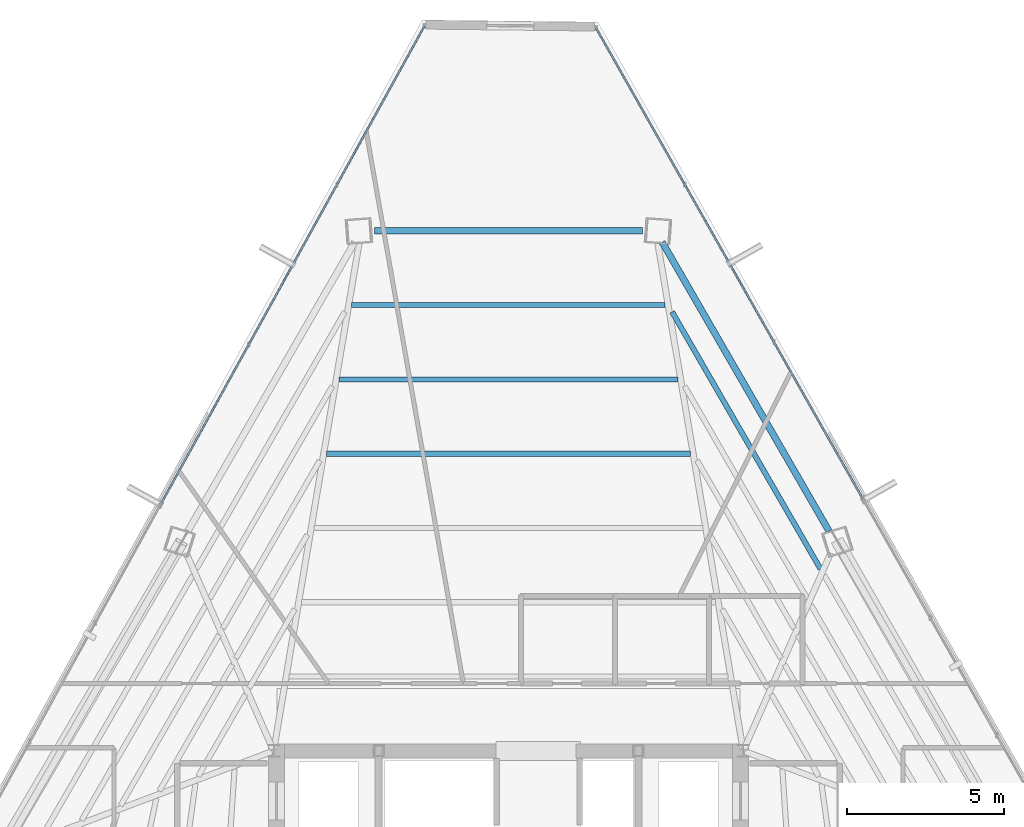
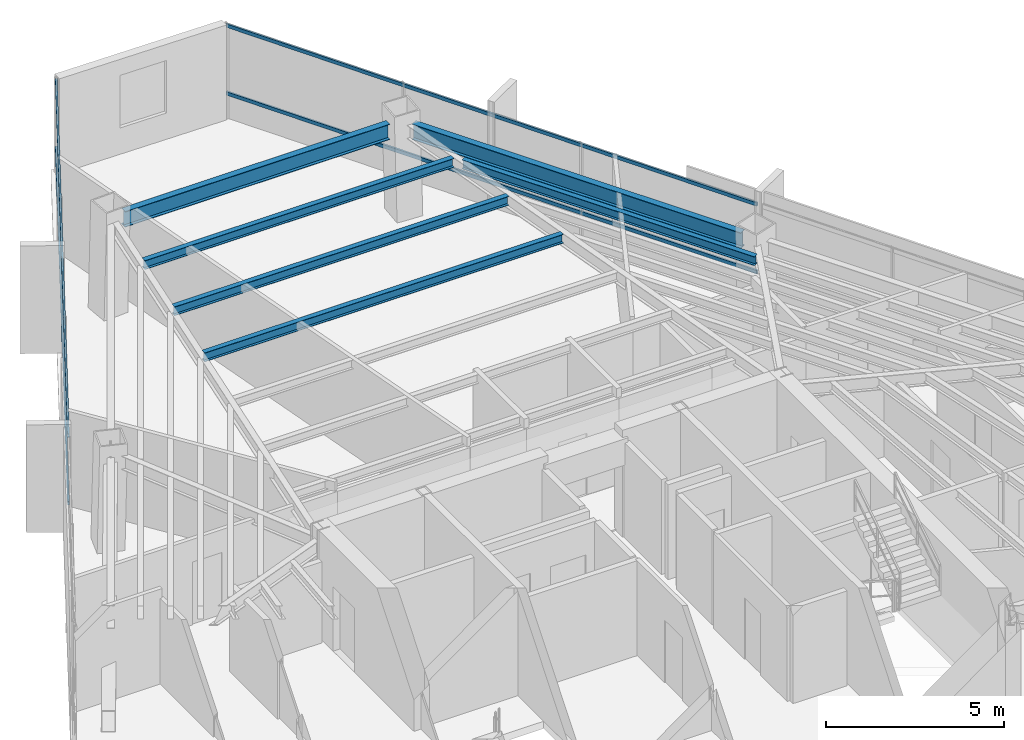
# One storey, part 30 of 40: 6 beams, 4 members, 2 elements without a shape of their own.
"""IFC4 building model written with IfcOpenShell, lengths in metres."""

from ifc_helpers import new_model, si_unit, direction, frame, origin, origin_2d, place, context, subcontext, project, spatial, hollow_rectangle, i_section, extrude, source, transform, mapped, material, material_profile, profile_set, type_object, type_shapes, element, aggregate, save


model = new_model("IFC4")

# Units and contexts
model_context = context("Model", 3, precision=1e-05, world=origin(), true_north=direction((0.0, 1.0)))
body_context = subcontext(model_context, "Body", "Model", "MODEL_VIEW")
ifc_project = project(units=[si_unit("LENGTHUNIT", "METRE"), si_unit("AREAUNIT", "SQUARE_METRE"), si_unit("VOLUMEUNIT", "CUBIC_METRE"), si_unit("PLANEANGLEUNIT", "RADIAN"), si_unit("MASSUNIT", "GRAM", prefix="KILO")], contexts=[model_context])

# Site, building, storey
site_placement = place(None, origin())
site = spatial("IfcSite", under=ifc_project, at=site_placement, CompositionType="ELEMENT")
building_placement = place(site_placement, origin())
building = spatial("IfcBuilding", under=site, at=building_placement, Name="Caelisora Broadcast Tower", CompositionType="ELEMENT")
storey_placement = place(building_placement, frame((0.0, 0.0, 216.89990234375)))
storey = spatial("IfcBuildingStorey", under=building, at=storey_placement, Name="L57", CompositionType="ELEMENT", Elevation=216.89990234375)

# Beams
ifc_material_1 = material(Name="Steel Grade 350 (AS/NZS 3679.1)", Category="steel")
ifc_material_profile_1 = material_profile(ifc_material_1, i_section(OverallWidth=0.208984375, OverallDepth=0.532958984375, WebThickness=0.01025390625, FlangeThickness=0.015625, at=origin_2d()), Name="Steel Grade 350 (AS/NZS 3679.1)")
ifc_profile_set_1 = profile_set([ifc_material_profile_1], Name="Steel Grade 350 (AS/NZS 3679.1)")
beam_type_1 = type_object("IfcBeamType", Name="PG05", PredefinedType="BEAM", material=ifc_profile_set_1)
shared_shape_1 = source(origin(), body_context, "Body", "SweptSolid", [
    extrude(i_section(OverallWidth=0.208984375, OverallDepth=0.532958984375, WebThickness=0.01025390625, FlangeThickness=0.015625, at=origin_2d()), origin(), (0.0, 0.0, 1.0), 8.57275390625),
])
beam_1_placement = place(storey_placement, frame((42.286376953125, 46.611572265625, 2.983642578125), z_axis=(-1.0, 0.0, 0.0), x_axis=(0.0, -1.0, 0.0)))
element("IfcBeam", 1, at=beam_1_placement, inside=storey, type_object=beam_type_1, Name="L57 beam PG05", PredefinedType="BEAM", context=body_context, shape_type="MappedRepresentation", body=[
    mapped(shared_shape_1, transform((0.0, 0.0, 0.0), scale=1.0)),
])
shared_shape_2 = source(origin(), body_context, "Body", "SweptSolid", [
    extrude(i_section(OverallWidth=0.208984375, OverallDepth=0.532958984375, WebThickness=0.01025390625, FlangeThickness=0.015625, at=origin_2d()), origin(), (0.0, 0.0, 1.0), 10.6552734375),
])
type_shapes(beam_type_1, [shared_shape_1, shared_shape_2])
beam_2_placement = place(storey_placement, frame((48.238037109375, 37.0234375, 2.983642578125), z_axis=(-0.49999814194, 0.866026476533, 0.0), x_axis=(-0.866026476533, -0.49999814194, 0.0)))
element("IfcBeam", 2, at=beam_2_placement, inside=storey, type_object=beam_type_1, Name="L57 beam PG05", PredefinedType="BEAM", context=body_context, shape_type="MappedRepresentation", body=[
    mapped(shared_shape_2, transform((0.0, 0.0, 0.0), scale=1.0)),
])
ifc_material_profile_2 = material_profile(ifc_material_1, i_section(OverallWidth=0.166015625, OverallDepth=0.30712890625, WebThickness=0.006591796875, FlangeThickness=0.01171875, at=origin_2d()), Name="Steel Grade 350 (AS/NZS 3679.1)")
ifc_profile_set_2 = profile_set([ifc_material_profile_2], Name="Steel Grade 350 (AS/NZS 3679.1)")
beam_type_2 = type_object("IfcBeamType", Name="SB03", PredefinedType="JOIST", material=ifc_profile_set_2)
shared_shape_3 = source(origin(), body_context, "Body", "SweptSolid", [
    extrude(i_section(OverallWidth=0.166015625, OverallDepth=0.30712890625, WebThickness=0.006591796875, FlangeThickness=0.01171875, at=origin_2d()), origin(), (0.0, 0.0, 1.0), 11.615234375),
])
beam_3_placement = place(storey_placement, frame((43.8076171875, 39.4921875, 3.096435546875), z_axis=(-1.0, 0.0, 0.0), x_axis=(0.0, -1.0, 0.0)))
element("IfcBeam", 3, at=beam_3_placement, inside=storey, type_object=beam_type_2, Name="L57 beam SB03", PredefinedType="JOIST", context=body_context, shape_type="MappedRepresentation", body=[
    mapped(shared_shape_3, transform((0.0, 0.0, 0.0), scale=1.0)),
])
shared_shape_4 = source(origin(), body_context, "Body", "SweptSolid", [
    extrude(i_section(OverallWidth=0.166015625, OverallDepth=0.30712890625, WebThickness=0.006591796875, FlangeThickness=0.01171875, at=origin_2d()), origin(), (0.0, 0.0, 1.0), 10.81591796875),
])
beam_4_placement = place(storey_placement, frame((43.407958984375, 41.865478515625, 3.096435546875), z_axis=(-1.0, 0.0, 0.0), x_axis=(0.0, -1.0, 0.0)))
element("IfcBeam", 4, at=beam_4_placement, inside=storey, type_object=beam_type_2, Name="L57 beam SB03", PredefinedType="JOIST", context=body_context, shape_type="MappedRepresentation", body=[
    mapped(shared_shape_4, transform((0.0, 0.0, 0.0), scale=1.0)),
])
shared_shape_5 = source(origin(), body_context, "Body", "SweptSolid", [
    extrude(i_section(OverallWidth=0.166015625, OverallDepth=0.30712890625, WebThickness=0.006591796875, FlangeThickness=0.01171875, at=origin_2d()), origin(), (0.0, 0.0, 1.0), 10.0166015625),
])
beam_5_placement = place(storey_placement, frame((43.00830078125, 44.238525390625, 3.096435546875), z_axis=(-1.0, 0.0, 0.0), x_axis=(0.0, -1.0, 0.0)))
element("IfcBeam", 5, at=beam_5_placement, inside=storey, type_object=beam_type_2, Name="L57 beam SB03", PredefinedType="JOIST", context=body_context, shape_type="MappedRepresentation", body=[
    mapped(shared_shape_5, transform((0.0, 0.0, 0.0), scale=1.0)),
])
shared_shape_6 = source(origin(), body_context, "Body", "SweptSolid", [
    extrude(i_section(OverallWidth=0.166015625, OverallDepth=0.30712890625, WebThickness=0.006591796875, FlangeThickness=0.01171875, at=origin_2d()), origin(), (0.0, 0.0, 1.0), 9.482421875),
])
type_shapes(beam_type_2, [shared_shape_3, shared_shape_4, shared_shape_5, shared_shape_6])
beam_6_placement = place(storey_placement, frame((47.967529296875, 35.811279296875, 3.096435546875), z_axis=(-0.49999360837, 0.866029093962, 0.0), x_axis=(-0.866029093962, -0.49999360837, 0.0)))
element("IfcBeam", 6, at=beam_6_placement, inside=storey, type_object=beam_type_2, Name="L57 beam SB03", PredefinedType="JOIST", context=body_context, shape_type="MappedRepresentation", body=[
    mapped(shared_shape_6, transform((0.0, 0.0, 0.0), scale=1.0)),
])

# Curtain wall, members
ifc_material_2 = material(Name="Unitised Aluminium and Low-E Glass Curtain Wall", Category="glass")
curtain_wall_type = type_object("IfcCurtainWallType", Name="CW-Z4", PredefinedType="NOTDEFINED", material=ifc_material_2)
curtain_wall_1_placement = place(storey_placement, origin())
curtain_wall_1 = element("IfcCurtainWall", 7, at=curtain_wall_1_placement, inside=storey, type_object=curtain_wall_type, Name="L57 curtain wall CW-Z4", PredefinedType="NOTDEFINED")
ifc_material_3 = material(Name="Aluminium 6063-T6 Anodised Terracotta Bronze", Category="aluminium")
ifc_material_profile_3 = material_profile(ifc_material_3, hollow_rectangle(XDim=0.06005859375, YDim=0.1201171875, WallThickness=0.0029296875, at=origin_2d()), Name="Aluminium 6063-T6 Anodised Terracotta Bronze")
ifc_profile_set_3 = profile_set([ifc_material_profile_3], Name="Aluminium 6063-T6 Anodised Terracotta Bronze")
member_type = type_object("IfcMemberType", Name="CWT-03", PredefinedType="USERDEFINED", material=ifc_profile_set_3)
shared_shape_7 = source(origin(), body_context, "Body", "SweptSolid", [
    extrude(hollow_rectangle(XDim=0.06005859375, YDim=0.1201171875, WallThickness=0.0029296875, at=origin_2d()), origin(), (0.0, 0.0, 1.0), 17.272705078125),
])
member_1_placement = place(storey_placement, frame((40.798583984375, 53.089599609375, 0.85009765625), z_axis=(0.492913068403, -0.870078563693, 0.0), x_axis=(0.870078563693, 0.492913068403, 0.0)))
member_1 = element("IfcMember", 8, at=member_1_placement, type_object=member_type, Name="L57-CW-B01 transom #1", ObjectType="TRANSOM", PredefinedType="USERDEFINED", context=body_context, shape_type="MappedRepresentation", body=[
    mapped(shared_shape_7, transform((0.0, 0.0, 0.0), scale=1.0)),
])
member_2_placement = place(storey_placement, frame((40.798583984375, 53.089599609375, 3.170166015625), z_axis=(0.492913068403, -0.870078563693, 0.0), x_axis=(0.870078563693, 0.492913068403, 0.0)))
member_2 = element("IfcMember", 9, at=member_2_placement, type_object=member_type, Name="L57-CW-B01 transom #2", ObjectType="TRANSOM", PredefinedType="USERDEFINED", context=body_context, shape_type="MappedRepresentation", body=[
    mapped(shared_shape_7, transform((0.0, 0.0, 0.0), scale=1.0)),
])
aggregate(curtain_wall_1, [member_1, member_2])

curtain_wall_2_placement = place(storey_placement, origin())
curtain_wall_2 = element("IfcCurtainWall", 10, at=curtain_wall_2_placement, inside=storey, type_object=curtain_wall_type, Name="L57 curtain wall CW-Z4", PredefinedType="NOTDEFINED")
shared_shape_8 = source(origin(), body_context, "Body", "SweptSolid", [
    extrude(hollow_rectangle(XDim=0.06005859375, YDim=0.1201171875, WallThickness=0.0029296875, at=origin_2d()), origin(), (0.0, 0.0, 1.0), 17.395263671875),
])
type_shapes(member_type, [shared_shape_7, shared_shape_8])
member_3_placement = place(storey_placement, frame((26.914306640625, 37.918212890625, 0.85009765625), z_axis=(0.482869927915, 0.875692087846, 0.0), x_axis=(-0.875692087846, 0.482869927915, 0.0)))
member_3 = element("IfcMember", 11, at=member_3_placement, type_object=member_type, Name="L57-CW-B11 transom #1", ObjectType="TRANSOM", PredefinedType="USERDEFINED", context=body_context, shape_type="MappedRepresentation", body=[
    mapped(shared_shape_8, transform((0.0, 0.0, 0.0), scale=1.0)),
])
member_4_placement = place(storey_placement, frame((26.914306640625, 37.918212890625, 3.170166015625), z_axis=(0.482869927915, 0.875692087846, 0.0), x_axis=(-0.875692087846, 0.482869927915, 0.0)))
member_4 = element("IfcMember", 12, at=member_4_placement, type_object=member_type, Name="L57-CW-B11 transom #2", ObjectType="TRANSOM", PredefinedType="USERDEFINED", context=body_context, shape_type="MappedRepresentation", body=[
    mapped(shared_shape_8, transform((0.0, 0.0, 0.0), scale=1.0)),
])
aggregate(curtain_wall_2, [member_3, member_4])

save(model, "model.ifc")
